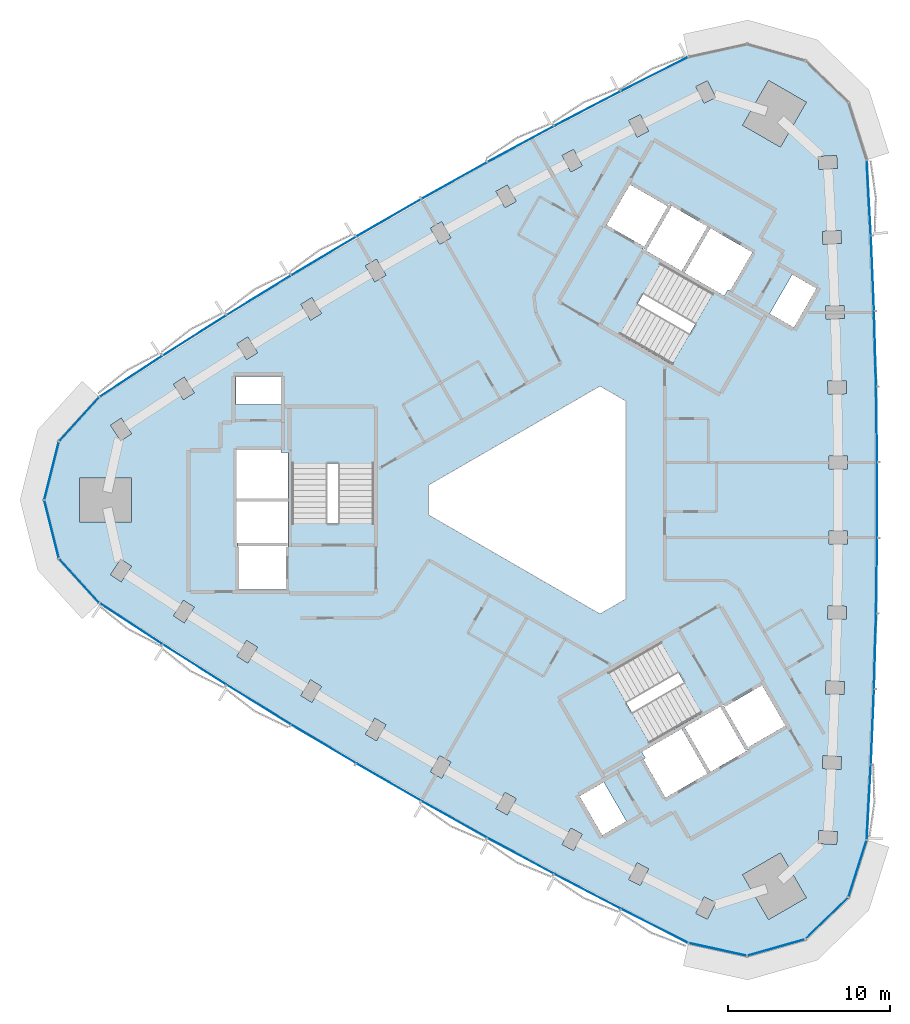
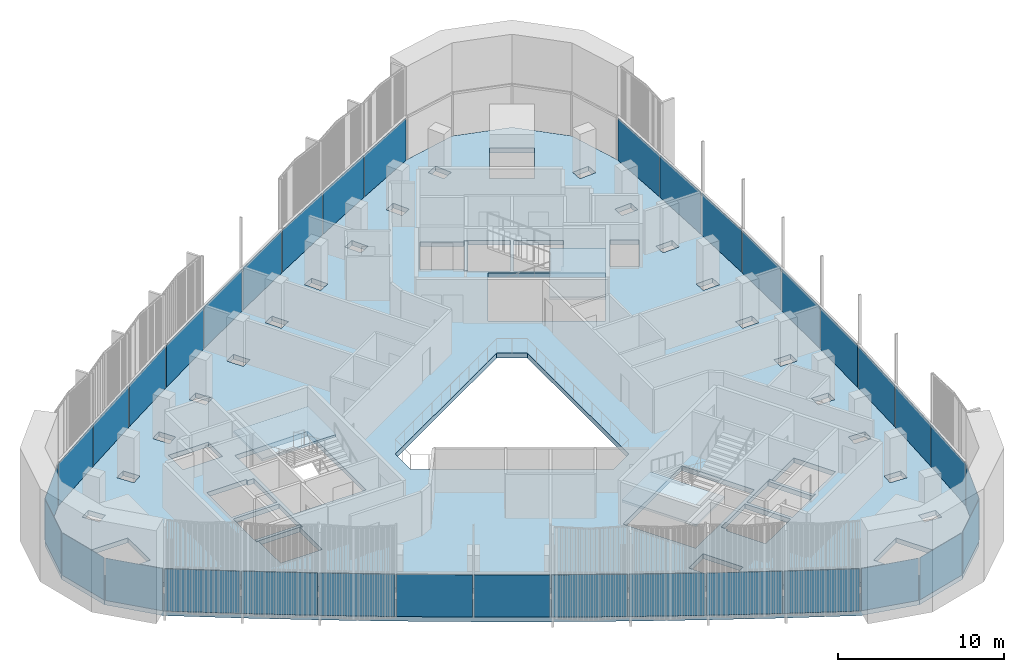
# One storey, part 6 of 13: 35 plates, 4 slabs, 6 elements without a shape of their own.
"""IFC4 building model written with IfcOpenShell, lengths in metres."""

from ifc_helpers import new_model, si_unit, direction, frame, origin, origin_2d, place, context, subcontext, project, spatial, polyline, rectangle, outline, extrude, material, layer, layer_set, type_object, element, aggregate, save


model = new_model("IFC4")

# Units and contexts
model_context = context("Model", 3, precision=1e-05, world=origin(), true_north=direction((0.0, 1.0)))
body_context = subcontext(model_context, "Body", "Model", "MODEL_VIEW")
ifc_project = project(units=[si_unit("LENGTHUNIT", "METRE"), si_unit("AREAUNIT", "SQUARE_METRE"), si_unit("VOLUMEUNIT", "CUBIC_METRE"), si_unit("PLANEANGLEUNIT", "RADIAN"), si_unit("MASSUNIT", "GRAM", prefix="KILO")], contexts=[model_context])

# Site, building, storey
site_placement = place(None, origin())
site = spatial("IfcSite", under=ifc_project, at=site_placement, CompositionType="ELEMENT")
building_placement = place(site_placement, origin())
building = spatial("IfcBuilding", under=site, at=building_placement, Name="Tamra Quay Hotel Tower", CompositionType="ELEMENT")
storey_placement = place(building_placement, frame((0.0, 0.0, 186.39990234375)))
storey = spatial("IfcBuildingStorey", under=building, at=storey_placement, Name="L46", CompositionType="ELEMENT", Elevation=186.39990234375)

# Stair, slab
ifc_material_1 = material(Name="Exit stair 2200 24 risers 150.0 going 342")
stair_type = type_object("IfcStairType", Name="Exit stair 2200 24 risers 150.0 going 342", PredefinedType="HALF_TURN_STAIR", material=ifc_material_1)
stair_1_placement = place(storey_placement, origin())
stair_1 = element("IfcStair", 1, at=stair_1_placement, inside=storey, type_object=stair_type, Name="L46 Exit stair ST3", PredefinedType="HALF_TURN_STAIR")
ifc_material_2 = material(Name="Concrete M70", Category="concrete")
ifc_layer_1 = layer(ifc_material_2, 0.175048828125)
ifc_layer_set_1 = layer_set([ifc_layer_1], Name="Concrete M70 stair landing 180")
slab_type_1 = type_object("IfcSlabType", Name="Concrete M70 stair landing 180", PredefinedType="LANDING", material=ifc_layer_set_1)
slab_1_placement = place(storey_placement, frame((0.0, 0.0, 1.625)))
slab_1 = element("IfcSlab", 2, at=slab_1_placement, type_object=slab_type_1, Name="ST3 landing 1", PredefinedType="LANDING", context=body_context, shape_type="SweptSolid", body=[
    extrude(outline(polyline([(-10.932373046875, 2.261962890625), (-10.932373046875, 5.679931640625), (-16.09130859375, 5.679931640625), (-16.09130859375, 2.261962890625), (-10.932373046875, 2.261962890625)])), origin(), (0.0, 0.0, 1.0), 0.175048828125),
])
aggregate(stair_1, [slab_1])

stair_2_placement = place(storey_placement, origin())
stair_2 = element("IfcStair", 3, at=stair_2_placement, inside=storey, type_object=stair_type, Name="L46 Exit stair ST1", PredefinedType="HALF_TURN_STAIR")
slab_2_placement = place(storey_placement, frame((0.0, 0.0, 1.625)))
slab_2 = element("IfcSlab", 4, at=slab_2_placement, type_object=slab_type_1, Name="ST1 landing 1", PredefinedType="LANDING", context=body_context, shape_type="SweptSolid", body=[
    extrude(outline(polyline([(7.425048828125, 8.336669921875), (10.385009765625, 6.627685546875), (12.964599609375, 11.095458984375), (10.00439453125, 12.804443359375), (7.425048828125, 8.336669921875)])), origin(), (0.0, 0.0, 1.0), 0.175048828125),
])
aggregate(stair_2, [slab_2])

stair_3_placement = place(storey_placement, origin())
stair_3 = element("IfcStair", 5, at=stair_3_placement, inside=storey, type_object=stair_type, Name="L46 Exit stair ST2", PredefinedType="HALF_TURN_STAIR")
slab_3_placement = place(storey_placement, frame((0.0, 0.0, 1.625)))
slab_3 = element("IfcSlab", 6, at=slab_3_placement, type_object=slab_type_1, Name="ST2 landing 1", PredefinedType="LANDING", context=body_context, shape_type="SweptSolid", body=[
    extrude(outline(polyline([(3.50732421875, -10.5986328125), (0.547119140625, -12.3076171875), (3.126708984375, -16.775390625), (6.086669921875, -15.06640625), (3.50732421875, -10.5986328125)])), origin(), (0.0, 0.0, 1.0), 0.175048828125),
])
aggregate(stair_3, [slab_3])

# Slab
ifc_material_3 = material(Name="Concrete M60", Category="concrete")
ifc_layer_2 = layer(ifc_material_3, 0.35009765625)
ifc_layer_set_2 = layer_set([ifc_layer_2], Name="FLOOR SLAB PT 350")
slab_type_2 = type_object("IfcSlabType", Name="FLOOR SLAB PT 350", PredefinedType="FLOOR", material=ifc_layer_set_2)
slab_4_placement = place(storey_placement, frame((0.0, 0.0, -0.349853515625)))
element("IfcSlab", 7, at=slab_4_placement, inside=storey, type_object=slab_type_2, Name="SLAB-L46", PredefinedType="FLOOR", context=body_context, shape_type="SweptSolid", body=[
    extrude(outline(polyline([(19.734619140625, 16.342041015625), (19.9287109375, 11.6748046875), (20.058349609375, 7.006591796875), (20.123291015625, 2.335693359375), (20.123291015625, -2.335693359375), (20.058349609375, -7.006591796875), (19.9287109375, -11.6748046875), (19.734619140625, -16.342041015625), (19.4755859375, -21.00537109375), (18.345703125, -24.553466796875), (15.67236328125, -27.1455078125), (12.091064453125, -28.164794921875), (8.453369140625, -27.369140625), (4.285400390625, -25.261474609375), (0.146240234375, -23.09619140625), (-3.961181640625, -20.87451171875), (-8.038818359375, -18.59521484375), (-12.08447265625, -16.259521484375), (-16.09716796875, -13.86767578125), (-20.074951171875, -11.42138671875), (-24.019775390625, -8.91943359375), (-27.928955078125, -6.36376953125), (-30.436767578125, -3.611083984375), (-31.3447265625, 0.0), (-30.436767578125, 3.611083984375), (-27.928955078125, 6.36376953125), (-24.019775390625, 8.91943359375), (-20.074951171875, 11.42138671875), (-16.09716796875, 13.86767578125), (-12.08447265625, 16.259521484375), (-8.038818359375, 18.59521484375), (-3.961181640625, 20.87451171875), (0.146240234375, 23.09619140625), (4.285400390625, 25.261474609375), (8.453369140625, 27.369140625), (12.091064453125, 28.164794921875), (15.67236328125, 27.1455078125), (18.345703125, 24.553466796875), (19.4755859375, 21.00537109375), (19.734619140625, 16.342041015625)]), holes=[polyline([(-11.500244140625, -14.4736328125), (-10.810302734375, -14.87841796875), (-10.228271484375, -13.88671875), (-10.918212890625, -13.481689453125), (-11.500244140625, -14.4736328125)]), polyline([(-14.89208984375, -11.106689453125), (-15.488037109375, -12.09033203125), (-14.8037109375, -12.5048828125), (-14.207763671875, -11.521240234375), (-14.89208984375, -11.106689453125)]), polyline([(-18.83349609375, -8.6767578125), (-19.4423828125, -9.65234375), (-18.763916015625, -10.075927734375), (-18.15478515625, -9.100341796875), (-18.83349609375, -8.6767578125)]), polyline([(-23.362548828125, -7.159423828125), (-22.689697265625, -7.59228515625), (-22.0673828125, -6.62548828125), (-22.739990234375, -6.1923828125), (-23.362548828125, -7.159423828125)]), polyline([(-26.6123046875, -3.654296875), (-27.247802734375, -4.612548828125), (-26.5810546875, -5.0546875), (-25.945556640625, -4.096435546875), (-26.6123046875, -3.654296875)]), polyline([(-16.3173828125, -2.85498046875), (-19.4072265625, -2.85498046875), (-19.4072265625, -2.89306640625), (-19.307373046875, -2.89306640625), (-19.307373046875, -5.544921875), (-16.417236328125, -5.544921875), (-16.417236328125, -2.89306640625), (-16.3173828125, -2.89306640625), (-16.3173828125, -2.85498046875)]), polyline([(-19.417236328125, -2.64501953125), (-16.307373046875, -2.64501953125), (-16.307373046875, -2.89306640625), (-16.26708984375, -2.89306640625), (-16.26708984375, -0.10498046875), (-19.45751953125, -0.10498046875), (-19.45751953125, -2.89306640625), (-19.417236328125, -2.89306640625), (-19.417236328125, -2.64501953125)]), polyline([(-25.958984375, 1.35009765625), (-29.158935546875, 1.35009765625), (-29.158935546875, -1.35009765625), (-25.958984375, -1.35009765625), (-25.958984375, 1.35009765625)]), polyline([(-16.26708984375, 2.945068359375), (-16.707275390625, 2.945068359375), (-16.707275390625, 3.09521484375), (-19.45751953125, 3.09521484375), (-19.45751953125, 0.10498046875), (-16.26708984375, 0.10498046875), (-16.26708984375, 2.945068359375)]), polyline([(-10.9873046875, -1.455078125), (-10.9873046875, 5.625), (-16.036376953125, 5.625), (-16.036376953125, -1.455078125), (-10.9873046875, -1.455078125)]), polyline([(-25.945556640625, 4.096435546875), (-26.5810546875, 5.0546875), (-27.247802734375, 4.612548828125), (-26.6123046875, 3.654296875), (-25.945556640625, 4.096435546875)]), polyline([(-16.71728515625, 7.64501953125), (-19.50732421875, 7.64501953125), (-19.50732421875, 5.9150390625), (-16.71728515625, 5.9150390625), (-16.71728515625, 7.64501953125)]), polyline([(-22.689697265625, 7.59228515625), (-23.362548828125, 7.159423828125), (-22.739990234375, 6.1923828125), (-22.0673828125, 6.62548828125), (-22.689697265625, 7.59228515625)]), polyline([(-18.15478515625, 9.100341796875), (-18.763916015625, 10.075927734375), (-19.4423828125, 9.65234375), (-18.83349609375, 8.6767578125), (-18.15478515625, 9.100341796875)]), polyline([(-14.207763671875, 11.521240234375), (-14.8037109375, 12.5048828125), (-15.488037109375, 12.09033203125), (-14.89208984375, 11.106689453125), (-14.207763671875, 11.521240234375)]), polyline([(-10.810302734375, 14.87841796875), (-11.500244140625, 14.4736328125), (-10.918212890625, 13.481689453125), (-10.228271484375, 13.88671875), (-10.810302734375, 14.87841796875)]), polyline([(-6.21630859375, 16.196533203125), (-6.784423828125, 17.1962890625), (-7.47998046875, 16.80126953125), (-6.912109375, 15.801513671875), (-6.21630859375, 16.196533203125)]), polyline([(9.42529296875, -24.517578125), (8.9130859375, -25.547119140625), (9.629150390625, -25.903564453125), (10.141357421875, -24.8740234375), (9.42529296875, -24.517578125)]), polyline([(4.76953125, -23.4462890625), (5.48095703125, -23.812255859375), (6.007080078125, -22.78955078125), (5.2958984375, -22.423583984375), (4.76953125, -23.4462890625)]), polyline([(1.196533203125, -20.272705078125), (0.656005859375, -21.28759765625), (1.362060546875, -21.663818359375), (1.902587890625, -20.648681640625), (1.196533203125, -20.272705078125)]), polyline([(1.73779296875, -18.300048828125), (3.1328125, -20.71630859375), (4.631103515625, -19.851318359375), (3.236083984375, -17.43505859375), (1.73779296875, -18.300048828125)]), polyline([(-3.427734375, -19.072998046875), (-2.7265625, -19.458251953125), (-2.172607421875, -18.4501953125), (-2.873779296875, -18.06494140625), (-3.427734375, -19.072998046875)]), polyline([(-6.912109375, -15.801513671875), (-7.47998046875, -16.80126953125), (-6.784423828125, -17.1962890625), (-6.21630859375, -16.196533203125), (-6.912109375, -15.801513671875)]), polyline([(5.5830078125, -15.560302734375), (5.80322265625, -15.94140625), (5.673095703125, -16.0166015625), (7.04833984375, -18.398193359375), (9.6376953125, -16.903076171875), (8.042724609375, -14.14013671875), (5.5830078125, -15.560302734375)]), polyline([(11.999267578125, -15.493408203125), (10.4443359375, -12.800048828125), (10.6591796875, -12.676025390625), (10.63916015625, -12.64111328125), (8.224609375, -14.03515625), (9.819580078125, -16.798095703125), (12.234130859375, -15.404052734375), (12.214111328125, -15.369384765625), (11.999267578125, -15.493408203125)]), polyline([(9.2783203125, -13.160400390625), (6.75390625, -8.78759765625), (0.622314453125, -12.32763671875), (3.146728515625, -16.7001953125), (9.2783203125, -13.160400390625)]), polyline([(3.0, 7.043701171875), (-7.60009765625, 0.923828125), (-7.60009765625, -0.923828125), (3.0, -7.043701171875), (4.60009765625, -6.119873046875), (4.60009765625, 6.119873046875), (3.0, 7.043701171875)]), polyline([(4.2333984375, 10.242919921875), (10.364990234375, 6.702880859375), (12.889404296875, 11.075439453125), (6.758056640625, 14.615478515625), (4.2333984375, 10.242919921875)]), polyline([(7.203125, 18.262451171875), (7.41796875, 18.138427734375), (5.863037109375, 15.445068359375), (5.648193359375, 15.569091796875), (5.628173828125, 15.5341796875), (8.04248046875, 14.140380859375), (9.6376953125, 16.903076171875), (7.22314453125, 18.297119140625), (7.203125, 18.262451171875)]), polyline([(5.68603515625, 15.55859375), (7.231201171875, 18.234619140625), (7.1982421875, 18.253662109375), (7.148193359375, 18.1669921875), (4.8515625, 19.4931640625), (3.406494140625, 16.990234375), (5.703125, 15.664306640625), (5.6533203125, 15.57763671875), (5.68603515625, 15.55859375)]), polyline([(-2.7265625, 19.458251953125), (-3.427734375, 19.072998046875), (-2.873779296875, 18.06494140625), (-2.172607421875, 18.4501953125), (-2.7265625, 19.458251953125)]), polyline([(1.902587890625, 20.648681640625), (1.362060546875, 21.663818359375), (0.656005859375, 21.28759765625), (1.196533203125, 20.272705078125), (1.902587890625, 20.648681640625)]), polyline([(6.007080078125, 22.78955078125), (5.48095703125, 23.812255859375), (4.76953125, 23.4462890625), (5.2958984375, 22.423583984375), (6.007080078125, 22.78955078125)]), polyline([(9.629150390625, 25.903564453125), (8.9130859375, 25.547119140625), (9.42529296875, 24.517578125), (10.141357421875, 24.8740234375), (9.629150390625, 25.903564453125)]), polyline([(11.810302734375, -23.15625), (13.410400390625, -25.927490234375), (15.74853515625, -24.577392578125), (14.148681640625, -21.80615234375), (11.810302734375, -23.15625)]), polyline([(16.470703125, -21.2197265625), (17.61865234375, -21.291015625), (17.668212890625, -20.492431640625), (16.5205078125, -20.42138671875), (16.470703125, -21.2197265625)]), polyline([(17.881591796875, -16.65283203125), (17.920166015625, -15.853759765625), (16.771484375, -15.798095703125), (16.73291015625, -16.59716796875), (17.881591796875, -16.65283203125)]), polyline([(10.631103515625, -12.70361328125), (12.176025390625, -15.379638671875), (12.208984375, -15.360595703125), (12.1591796875, -15.274169921875), (14.455810546875, -13.947998046875), (13.0107421875, -11.4453125), (10.714111328125, -12.771240234375), (10.6640625, -12.6845703125), (10.631103515625, -12.70361328125)]), polyline([(16.930908203125, -11.971923828125), (18.080322265625, -12.011474609375), (18.10791015625, -11.2119140625), (16.95849609375, -11.172607421875), (16.930908203125, -11.971923828125)]), polyline([(18.214599609375, -7.367919921875), (18.2314453125, -6.568115234375), (17.081787109375, -6.543701171875), (17.064697265625, -7.343505859375), (18.214599609375, -7.367919921875)]), polyline([(17.134765625, -2.714599609375), (18.28466796875, -2.72265625), (18.290283203125, -1.9228515625), (17.140380859375, -1.914794921875), (17.134765625, -2.714599609375)]), polyline([(17.140380859375, 1.914794921875), (18.290283203125, 1.9228515625), (18.28466796875, 2.72265625), (17.134765625, 2.714599609375), (17.140380859375, 1.914794921875)]), polyline([(18.2314453125, 6.568115234375), (18.214599609375, 7.367919921875), (17.064697265625, 7.343505859375), (17.081787109375, 6.543701171875), (18.2314453125, 6.568115234375)]), polyline([(16.95849609375, 11.172607421875), (18.10791015625, 11.2119140625), (18.080322265625, 12.011474609375), (16.930908203125, 11.971923828125), (16.95849609375, 11.172607421875)]), polyline([(14.9794921875, 10.655029296875), (16.37451171875, 13.0712890625), (14.876220703125, 13.936279296875), (13.481201171875, 11.52001953125), (14.9794921875, 10.655029296875)]), polyline([(10.68408203125, 12.615234375), (10.904052734375, 12.996337890625), (11.0341796875, 12.92138671875), (12.4091796875, 15.302978515625), (9.819580078125, 16.798095703125), (8.224365234375, 14.035400390625), (10.68408203125, 12.615234375)]), polyline([(16.771484375, 15.798095703125), (17.920166015625, 15.853759765625), (17.881591796875, 16.65283203125), (16.73291015625, 16.59716796875), (16.771484375, 15.798095703125)]), polyline([(16.5205078125, 20.42138671875), (17.668212890625, 20.492431640625), (17.61865234375, 21.291015625), (16.470703125, 21.2197265625), (16.5205078125, 20.42138671875)]), polyline([(14.148681640625, 21.80615234375), (15.74853515625, 24.577392578125), (13.410400390625, 25.927490234375), (11.810302734375, 23.15625), (14.148681640625, 21.80615234375)])]), origin(), (0.0, 0.0, 1.0), 0.349853515625),
])

# Curtain wall, plates
ifc_material_4 = material(Name="Aluminium 6063 anodised dark grey", Category="aluminium")
curtain_wall_type_1 = type_object("IfcCurtainWallType", Name="CW1 CURTAIN WALL", PredefinedType="NOTDEFINED", material=ifc_material_4)
curtain_wall_1_placement = place(storey_placement, origin())
curtain_wall_1 = element("IfcCurtainWall", 8, at=curtain_wall_1_placement, inside=storey, type_object=curtain_wall_type_1, Name="CW1 east face L46", PredefinedType="NOTDEFINED")
ifc_material_5 = material(Name="Glass clear laminated low-iron", Category="glass")
ifc_layer_3 = layer(ifc_material_5, 0.030029296875)
ifc_layer_set_3 = layer_set([ifc_layer_3], Name="GLASS PANEL CW1 Z4")
plate_type_1 = type_object("IfcPlateType", Name="GLASS PANEL CW1 Z4", PredefinedType="CURTAIN_PANEL", material=ifc_layer_set_3)
plate_1_placement = place(storey_placement, frame((19.60498046875, -18.673583984375, 0.0), z_axis=(0.0, 0.0, 1.0), x_axis=(0.055416308058, 0.998463335732, 0.0)))
plate_1 = element("IfcPlate", 9, at=plate_1_placement, type_object=plate_type_1, Name="CW1 glass L46.E.1", PredefinedType="CURTAIN_PANEL", context=body_context, shape_type="SweptSolid", body=[
    extrude(rectangle(XDim=4.570556640625, YDim=0.030029296875, at=origin_2d()), origin(), (0.0, 0.0, 1.0), 3.110107421875),
])
plate_2_placement = place(storey_placement, frame((19.83154296875, -14.00830078125, 0.0), z_axis=(0.0, 0.0, 1.0), x_axis=(0.041599153709, 0.999134380557, 0.0)))
plate_2 = element("IfcPlate", 10, at=plate_2_placement, type_object=plate_type_1, Name="CW1 glass L46.E.2", PredefinedType="CURTAIN_PANEL", context=body_context, shape_type="SweptSolid", body=[
    extrude(rectangle(XDim=4.5712890625, YDim=0.030029296875, at=origin_2d()), origin(), (0.0, 0.0, 1.0), 3.110107421875),
])
plate_3_placement = place(storey_placement, frame((19.99365234375, -9.340576171875, 0.0), z_axis=(0.0, 0.0, 1.0), x_axis=(0.027753587392, 0.999614795002, 0.0)))
plate_3 = element("IfcPlate", 11, at=plate_3_placement, type_object=plate_type_1, Name="CW1 glass L46.E.3", PredefinedType="CURTAIN_PANEL", context=body_context, shape_type="SweptSolid", body=[
    extrude(rectangle(XDim=4.56982421875, YDim=0.030029296875, at=origin_2d()), origin(), (0.0, 0.0, 1.0), 3.110107421875),
])
plate_4_placement = place(storey_placement, frame((20.0908203125, -4.671142578125, 0.0), z_axis=(0.0, 0.0, 1.0), x_axis=(0.013886463743, 0.999903578414, 0.0)))
plate_4 = element("IfcPlate", 12, at=plate_4_placement, type_object=plate_type_1, Name="CW1 glass L46.E.4", PredefinedType="CURTAIN_PANEL", context=body_context, shape_type="SweptSolid", body=[
    extrude(rectangle(XDim=4.571533203125, YDim=0.030029296875, at=origin_2d()), origin(), (0.0, 0.0, 1.0), 3.110107421875),
])
plate_5_placement = place(storey_placement, frame((20.123291015625, 0.0, 0.0), z_axis=(0.0, 0.0, 1.0), x_axis=(0.0, 1.0, 0.0)))
plate_5 = element("IfcPlate", 13, at=plate_5_placement, type_object=plate_type_1, Name="CW1 glass L46.E.5", PredefinedType="CURTAIN_PANEL", context=body_context, shape_type="SweptSolid", body=[
    extrude(rectangle(XDim=4.571533203125, YDim=0.030029296875, at=origin_2d()), origin(), (0.0, 0.0, 1.0), 3.110107421875),
])
plate_6_placement = place(storey_placement, frame((20.0908203125, 4.671142578125, 0.0), z_axis=(0.0, 0.0, 1.0), x_axis=(-0.013886463743, 0.999903578414, 0.0)))
plate_6 = element("IfcPlate", 14, at=plate_6_placement, type_object=plate_type_1, Name="CW1 glass L46.E.6", PredefinedType="CURTAIN_PANEL", context=body_context, shape_type="SweptSolid", body=[
    extrude(rectangle(XDim=4.571533203125, YDim=0.030029296875, at=origin_2d()), origin(), (0.0, 0.0, 1.0), 3.110107421875),
])
plate_7_placement = place(storey_placement, frame((19.99365234375, 9.340576171875, 0.0), z_axis=(0.0, 0.0, 1.0), x_axis=(-0.027753587392, 0.999614795002, 0.0)))
plate_7 = element("IfcPlate", 15, at=plate_7_placement, type_object=plate_type_1, Name="CW1 glass L46.E.7", PredefinedType="CURTAIN_PANEL", context=body_context, shape_type="SweptSolid", body=[
    extrude(rectangle(XDim=4.56982421875, YDim=0.030029296875, at=origin_2d()), origin(), (0.0, 0.0, 1.0), 3.110107421875),
])
plate_8_placement = place(storey_placement, frame((19.83154296875, 14.00830078125, 0.0), z_axis=(0.0, 0.0, 1.0), x_axis=(-0.041599153709, 0.999134380557, 0.0)))
plate_8 = element("IfcPlate", 16, at=plate_8_placement, type_object=plate_type_1, Name="CW1 glass L46.E.8", PredefinedType="CURTAIN_PANEL", context=body_context, shape_type="SweptSolid", body=[
    extrude(rectangle(XDim=4.5712890625, YDim=0.030029296875, at=origin_2d()), origin(), (0.0, 0.0, 1.0), 3.110107421875),
])
plate_9_placement = place(storey_placement, frame((19.60498046875, 18.673583984375, 0.0), z_axis=(0.0, 0.0, 1.0), x_axis=(-0.055416308058, 0.998463335732, 0.0)))
plate_9 = element("IfcPlate", 17, at=plate_9_placement, type_object=plate_type_1, Name="CW1 glass L46.E.9", PredefinedType="CURTAIN_PANEL", context=body_context, shape_type="SweptSolid", body=[
    extrude(rectangle(XDim=4.570556640625, YDim=0.030029296875, at=origin_2d()), origin(), (0.0, 0.0, 1.0), 3.110107421875),
])
aggregate(curtain_wall_1, [plate_1, plate_2, plate_3, plate_4, plate_5, plate_6, plate_7, plate_8, plate_9])

curtain_wall_type_2 = type_object("IfcCurtainWallType", Name="CW2 CURTAIN WALL", PredefinedType="NOTDEFINED", material=ifc_material_4)
curtain_wall_2_placement = place(storey_placement, origin())
curtain_wall_2 = element("IfcCurtainWall", 18, at=curtain_wall_2_placement, inside=storey, type_object=curtain_wall_type_2, Name="CW2 north-west face L46", PredefinedType="NOTDEFINED")
ifc_layer_4 = layer(ifc_material_5, 0.030029296875)
ifc_layer_set_4 = layer_set([ifc_layer_4], Name="GLASS PANEL CW2 Z4")
plate_type_2 = type_object("IfcPlateType", Name="GLASS PANEL CW2 Z4", PredefinedType="CURTAIN_PANEL", material=ifc_layer_set_4)
plate_10_placement = place(storey_placement, frame((6.369384765625, 26.3154296875, 0.0), z_axis=(0.0, 0.0, 1.0), x_axis=(-0.89240276752, -0.451239737304, 0.0)))
plate_10 = element("IfcPlate", 19, at=plate_10_placement, type_object=plate_type_2, Name="CW2 glass L46.NW.1", PredefinedType="CURTAIN_PANEL", context=body_context, shape_type="SweptSolid", body=[
    extrude(rectangle(XDim=4.570556640625, YDim=0.030029296875, at=origin_2d()), origin(), (0.0, 0.0, 1.0), 3.110107421875),
])
plate_11_placement = place(storey_placement, frame((2.2158203125, 24.178955078125, 0.0), z_axis=(0.0, 0.0, 1.0), x_axis=(-0.886075332211, -0.46354126639, 0.0)))
plate_11 = element("IfcPlate", 20, at=plate_11_placement, type_object=plate_type_2, Name="CW2 glass L46.NW.2", PredefinedType="CURTAIN_PANEL", context=body_context, shape_type="SweptSolid", body=[
    extrude(rectangle(XDim=4.5712890625, YDim=0.030029296875, at=origin_2d()), origin(), (0.0, 0.0, 1.0), 3.110107421875),
])
plate_12_placement = place(storey_placement, frame((-1.907470703125, 21.9853515625, 0.0), z_axis=(0.0, 0.0, 1.0), x_axis=(-0.879568600166, -0.475772085773, 0.0)))
plate_12 = element("IfcPlate", 21, at=plate_12_placement, type_object=plate_type_2, Name="CW2 glass L46.NW.3", PredefinedType="CURTAIN_PANEL", context=body_context, shape_type="SweptSolid", body=[
    extrude(rectangle(XDim=4.56982421875, YDim=0.030029296875, at=origin_2d()), origin(), (0.0, 0.0, 1.0), 3.110107421875),
])
plate_13_placement = place(storey_placement, frame((-6.0, 19.73486328125, 0.0), z_axis=(0.0, 0.0, 1.0), x_axis=(-0.872885132113, -0.487925758836, 0.0)))
plate_13 = element("IfcPlate", 22, at=plate_13_placement, type_object=plate_type_2, Name="CW2 glass L46.NW.4", PredefinedType="CURTAIN_PANEL", context=body_context, shape_type="SweptSolid", body=[
    extrude(rectangle(XDim=4.571533203125, YDim=0.030029296875, at=origin_2d()), origin(), (0.0, 0.0, 1.0), 3.110107421875),
])
plate_14_placement = place(storey_placement, frame((-10.0615234375, 17.42724609375, 0.0), z_axis=(0.0, 0.0, 1.0), x_axis=(-0.866025403784, -0.5, 0.0)))
plate_14 = element("IfcPlate", 23, at=plate_14_placement, type_object=plate_type_2, Name="CW2 glass L46.NW.5", PredefinedType="CURTAIN_PANEL", context=body_context, shape_type="SweptSolid", body=[
    extrude(rectangle(XDim=4.571533203125, YDim=0.030029296875, at=origin_2d()), origin(), (0.0, 0.0, 1.0), 3.110107421875),
])
plate_15_placement = place(storey_placement, frame((-14.0908203125, 15.0634765625, 0.0), z_axis=(0.0, 0.0, 1.0), x_axis=(-0.85899866837, -0.511977819577, 0.0)))
plate_15 = element("IfcPlate", 24, at=plate_15_placement, type_object=plate_type_2, Name="CW2 glass L46.NW.6", PredefinedType="CURTAIN_PANEL", context=body_context, shape_type="SweptSolid", body=[
    extrude(rectangle(XDim=4.571533203125, YDim=0.030029296875, at=origin_2d()), origin(), (0.0, 0.0, 1.0), 3.110107421875),
])
plate_16_placement = place(storey_placement, frame((-18.0859375, 12.64453125, 0.0), z_axis=(0.0, 0.0, 1.0), x_axis=(-0.851815012775, -0.523842709229, 0.0)))
plate_16 = element("IfcPlate", 25, at=plate_16_placement, type_object=plate_type_2, Name="CW2 glass L46.NW.7", PredefinedType="CURTAIN_PANEL", context=body_context, shape_type="SweptSolid", body=[
    extrude(rectangle(XDim=4.56982421875, YDim=0.030029296875, at=origin_2d()), origin(), (0.0, 0.0, 1.0), 3.110107421875),
])
plate_17_placement = place(storey_placement, frame((-22.04736328125, 10.17041015625, 0.0), z_axis=(0.0, 0.0, 1.0), x_axis=(-0.844476178502, -0.535593114167, 0.0)))
plate_17 = element("IfcPlate", 26, at=plate_17_placement, type_object=plate_type_2, Name="CW2 glass L46.NW.8", PredefinedType="CURTAIN_PANEL", context=body_context, shape_type="SweptSolid", body=[
    extrude(rectangle(XDim=4.5712890625, YDim=0.030029296875, at=origin_2d()), origin(), (0.0, 0.0, 1.0), 3.110107421875),
])
plate_18_placement = place(storey_placement, frame((-25.974365234375, 7.6416015625, 0.0), z_axis=(0.0, 0.0, 1.0), x_axis=(-0.836986459463, -0.547223598428, 0.0)))
plate_18 = element("IfcPlate", 27, at=plate_18_placement, type_object=plate_type_2, Name="CW2 glass L46.NW.9", PredefinedType="CURTAIN_PANEL", context=body_context, shape_type="SweptSolid", body=[
    extrude(rectangle(XDim=4.570556640625, YDim=0.030029296875, at=origin_2d()), origin(), (0.0, 0.0, 1.0), 3.110107421875),
])
plate_19_placement = place(storey_placement, frame((-29.182861328125, 4.987548828125, 0.0), z_axis=(0.0, 0.0, 1.0), x_axis=(-0.673495681519, -0.739191157262, 0.0)))
plate_19 = element("IfcPlate", 28, at=plate_19_placement, type_object=plate_type_2, Name="CW2 glass L46.NW.10", PredefinedType="CURTAIN_PANEL", context=body_context, shape_type="SweptSolid", body=[
    extrude(rectangle(XDim=3.62353515625, YDim=0.030029296875, at=origin_2d()), origin(), (0.0, 0.0, 1.0), 3.110107421875),
])
plate_20_placement = place(storey_placement, frame((-30.890869140625, 1.8056640625, 0.0), z_axis=(0.0, 0.0, 1.0), x_axis=(-0.243826260198, -0.969818928892, 0.0)))
plate_20 = element("IfcPlate", 29, at=plate_20_placement, type_object=plate_type_2, Name="CW2 glass L46.NW.11", PredefinedType="CURTAIN_PANEL", context=body_context, shape_type="SweptSolid", body=[
    extrude(rectangle(XDim=3.62353515625, YDim=0.030029296875, at=origin_2d()), origin(), (0.0, 0.0, 1.0), 3.110107421875),
])
plate_21_placement = place(storey_placement, frame((-30.890869140625, -1.8056640625, 0.0), z_axis=(0.0, 0.0, 1.0), x_axis=(0.243826260198, -0.969818928892, 0.0)))
plate_21 = element("IfcPlate", 30, at=plate_21_placement, type_object=plate_type_2, Name="CW2 glass L46.NW.12", PredefinedType="CURTAIN_PANEL", context=body_context, shape_type="SweptSolid", body=[
    extrude(rectangle(XDim=3.62353515625, YDim=0.030029296875, at=origin_2d()), origin(), (0.0, 0.0, 1.0), 3.110107421875),
])
plate_22_placement = place(storey_placement, frame((-29.182861328125, -4.987548828125, 0.0), z_axis=(0.0, 0.0, 1.0), x_axis=(0.673495681519, -0.739191157262, 0.0)))
plate_22 = element("IfcPlate", 31, at=plate_22_placement, type_object=plate_type_2, Name="CW2 glass L46.NW.13", PredefinedType="CURTAIN_PANEL", context=body_context, shape_type="SweptSolid", body=[
    extrude(rectangle(XDim=3.62353515625, YDim=0.030029296875, at=origin_2d()), origin(), (0.0, 0.0, 1.0), 3.110107421875),
])
aggregate(curtain_wall_2, [plate_10, plate_11, plate_12, plate_13, plate_14, plate_15, plate_16, plate_17, plate_18, plate_19, plate_20, plate_21, plate_22])

curtain_wall_type_3 = type_object("IfcCurtainWallType", Name="CW3 CURTAIN WALL", PredefinedType="NOTDEFINED", material=ifc_material_4)
curtain_wall_3_placement = place(storey_placement, origin())
curtain_wall_3 = element("IfcCurtainWall", 32, at=curtain_wall_3_placement, inside=storey, type_object=curtain_wall_type_3, Name="CW3 south-west face L46", PredefinedType="NOTDEFINED")
ifc_layer_5 = layer(ifc_material_5, 0.030029296875)
ifc_layer_set_5 = layer_set([ifc_layer_5], Name="GLASS PANEL CW3 Z4")
plate_type_3 = type_object("IfcPlateType", Name="GLASS PANEL CW3 Z4", PredefinedType="CURTAIN_PANEL", material=ifc_layer_set_5)
plate_23_placement = place(storey_placement, frame((-25.974365234375, -7.6416015625, 0.0), z_axis=(0.0, 0.0, 1.0), x_axis=(0.836986459463, -0.547223598428, 0.0)))
plate_23 = element("IfcPlate", 33, at=plate_23_placement, type_object=plate_type_3, Name="CW3 glass L46.SW.1", PredefinedType="CURTAIN_PANEL", context=body_context, shape_type="SweptSolid", body=[
    extrude(rectangle(XDim=4.570556640625, YDim=0.030029296875, at=origin_2d()), origin(), (0.0, 0.0, 1.0), 3.110107421875),
])
plate_24_placement = place(storey_placement, frame((-22.04736328125, -10.17041015625, 0.0), z_axis=(0.0, 0.0, 1.0), x_axis=(0.844476178502, -0.535593114167, 0.0)))
plate_24 = element("IfcPlate", 34, at=plate_24_placement, type_object=plate_type_3, Name="CW3 glass L46.SW.2", PredefinedType="CURTAIN_PANEL", context=body_context, shape_type="SweptSolid", body=[
    extrude(rectangle(XDim=4.5712890625, YDim=0.030029296875, at=origin_2d()), origin(), (0.0, 0.0, 1.0), 3.110107421875),
])
plate_25_placement = place(storey_placement, frame((-18.0859375, -12.64453125, 0.0), z_axis=(0.0, 0.0, 1.0), x_axis=(0.851815012775, -0.523842709229, 0.0)))
plate_25 = element("IfcPlate", 35, at=plate_25_placement, type_object=plate_type_3, Name="CW3 glass L46.SW.3", PredefinedType="CURTAIN_PANEL", context=body_context, shape_type="SweptSolid", body=[
    extrude(rectangle(XDim=4.56982421875, YDim=0.030029296875, at=origin_2d()), origin(), (0.0, 0.0, 1.0), 3.110107421875),
])
plate_26_placement = place(storey_placement, frame((-14.0908203125, -15.0634765625, 0.0), z_axis=(0.0, 0.0, 1.0), x_axis=(0.85899866837, -0.511977819577, 0.0)))
plate_26 = element("IfcPlate", 36, at=plate_26_placement, type_object=plate_type_3, Name="CW3 glass L46.SW.4", PredefinedType="CURTAIN_PANEL", context=body_context, shape_type="SweptSolid", body=[
    extrude(rectangle(XDim=4.571533203125, YDim=0.030029296875, at=origin_2d()), origin(), (0.0, 0.0, 1.0), 3.110107421875),
])
plate_27_placement = place(storey_placement, frame((-10.0615234375, -17.42724609375, 0.0), z_axis=(0.0, 0.0, 1.0), x_axis=(0.866025403784, -0.5, 0.0)))
plate_27 = element("IfcPlate", 37, at=plate_27_placement, type_object=plate_type_3, Name="CW3 glass L46.SW.5", PredefinedType="CURTAIN_PANEL", context=body_context, shape_type="SweptSolid", body=[
    extrude(rectangle(XDim=4.571533203125, YDim=0.030029296875, at=origin_2d()), origin(), (0.0, 0.0, 1.0), 3.110107421875),
])
plate_28_placement = place(storey_placement, frame((-6.0, -19.73486328125, 0.0), z_axis=(0.0, 0.0, 1.0), x_axis=(0.872885132113, -0.487925758836, 0.0)))
plate_28 = element("IfcPlate", 38, at=plate_28_placement, type_object=plate_type_3, Name="CW3 glass L46.SW.6", PredefinedType="CURTAIN_PANEL", context=body_context, shape_type="SweptSolid", body=[
    extrude(rectangle(XDim=4.571533203125, YDim=0.030029296875, at=origin_2d()), origin(), (0.0, 0.0, 1.0), 3.110107421875),
])
plate_29_placement = place(storey_placement, frame((-1.907470703125, -21.9853515625, 0.0), z_axis=(0.0, 0.0, 1.0), x_axis=(0.879568600166, -0.475772085773, 0.0)))
plate_29 = element("IfcPlate", 39, at=plate_29_placement, type_object=plate_type_3, Name="CW3 glass L46.SW.7", PredefinedType="CURTAIN_PANEL", context=body_context, shape_type="SweptSolid", body=[
    extrude(rectangle(XDim=4.56982421875, YDim=0.030029296875, at=origin_2d()), origin(), (0.0, 0.0, 1.0), 3.110107421875),
])
plate_30_placement = place(storey_placement, frame((2.2158203125, -24.178955078125, 0.0), z_axis=(0.0, 0.0, 1.0), x_axis=(0.886075332211, -0.46354126639, 0.0)))
plate_30 = element("IfcPlate", 40, at=plate_30_placement, type_object=plate_type_3, Name="CW3 glass L46.SW.8", PredefinedType="CURTAIN_PANEL", context=body_context, shape_type="SweptSolid", body=[
    extrude(rectangle(XDim=4.5712890625, YDim=0.030029296875, at=origin_2d()), origin(), (0.0, 0.0, 1.0), 3.110107421875),
])
plate_31_placement = place(storey_placement, frame((6.369384765625, -26.3154296875, 0.0), z_axis=(0.0, 0.0, 1.0), x_axis=(0.89240276752, -0.451239737304, 0.0)))
plate_31 = element("IfcPlate", 41, at=plate_31_placement, type_object=plate_type_3, Name="CW3 glass L46.SW.9", PredefinedType="CURTAIN_PANEL", context=body_context, shape_type="SweptSolid", body=[
    extrude(rectangle(XDim=4.570556640625, YDim=0.030029296875, at=origin_2d()), origin(), (0.0, 0.0, 1.0), 3.110107421875),
])
plate_32_placement = place(storey_placement, frame((10.272216796875, -27.766845703125, 0.0), z_axis=(0.0, 0.0, 1.0), x_axis=(0.976906161202, -0.213668790904, 0.0)))
plate_32 = element("IfcPlate", 42, at=plate_32_placement, type_object=plate_type_3, Name="CW3 glass L46.SW.10", PredefinedType="CURTAIN_PANEL", context=body_context, shape_type="SweptSolid", body=[
    extrude(rectangle(XDim=3.62353515625, YDim=0.030029296875, at=origin_2d()), origin(), (0.0, 0.0, 1.0), 3.110107421875),
])
plate_33_placement = place(storey_placement, frame((13.881591796875, -27.655029296875, 0.0), z_axis=(0.0, 0.0, 1.0), x_axis=(0.961800959591, 0.273749729005, 0.0)))
plate_33 = element("IfcPlate", 43, at=plate_33_placement, type_object=plate_type_3, Name="CW3 glass L46.SW.11", PredefinedType="CURTAIN_PANEL", context=body_context, shape_type="SweptSolid", body=[
    extrude(rectangle(XDim=3.62353515625, YDim=0.030029296875, at=origin_2d()), origin(), (0.0, 0.0, 1.0), 3.110107421875),
])
plate_34_placement = place(storey_placement, frame((17.009033203125, -25.849365234375, 0.0), z_axis=(0.0, 0.0, 1.0), x_axis=(0.717974699393, 0.696069199888, 0.0)))
plate_34 = element("IfcPlate", 44, at=plate_34_placement, type_object=plate_type_3, Name="CW3 glass L46.SW.12", PredefinedType="CURTAIN_PANEL", context=body_context, shape_type="SweptSolid", body=[
    extrude(rectangle(XDim=3.62353515625, YDim=0.030029296875, at=origin_2d()), origin(), (0.0, 0.0, 1.0), 3.110107421875),
])
plate_35_placement = place(storey_placement, frame((18.91064453125, -22.779541015625, 0.0), z_axis=(0.0, 0.0, 1.0), x_axis=(0.303410479682, 0.952859948166, 0.0)))
plate_35 = element("IfcPlate", 45, at=plate_35_placement, type_object=plate_type_3, Name="CW3 glass L46.SW.13", PredefinedType="CURTAIN_PANEL", context=body_context, shape_type="SweptSolid", body=[
    extrude(rectangle(XDim=3.62353515625, YDim=0.030029296875, at=origin_2d()), origin(), (0.0, 0.0, 1.0), 3.110107421875),
])
aggregate(curtain_wall_3, [plate_23, plate_24, plate_25, plate_26, plate_27, plate_28, plate_29, plate_30, plate_31, plate_32, plate_33, plate_34, plate_35])

save(model, "model.ifc")
